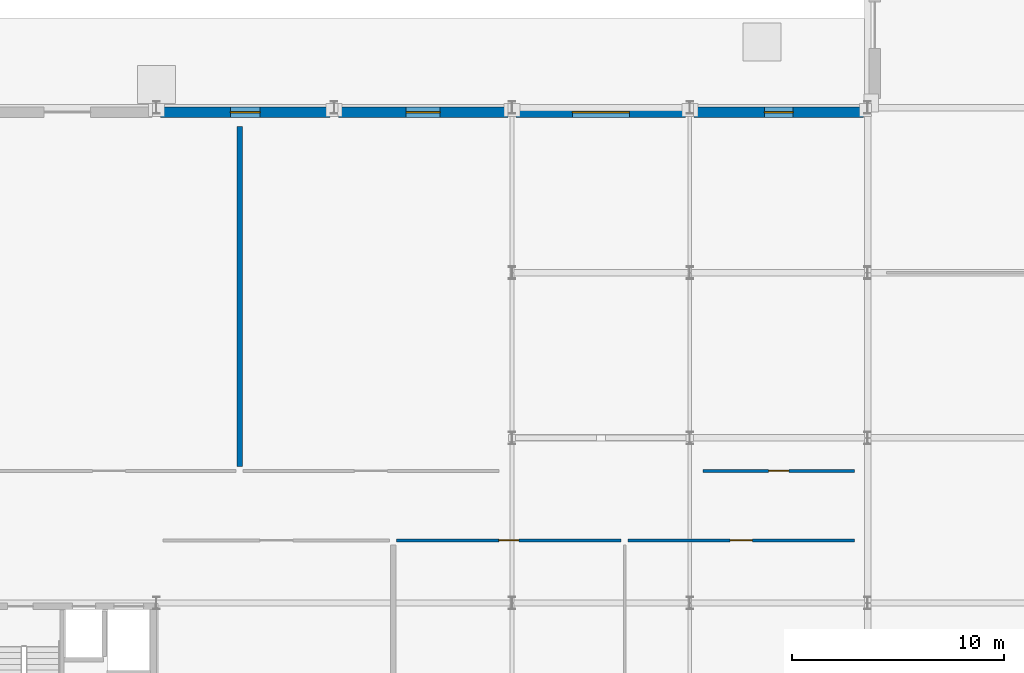
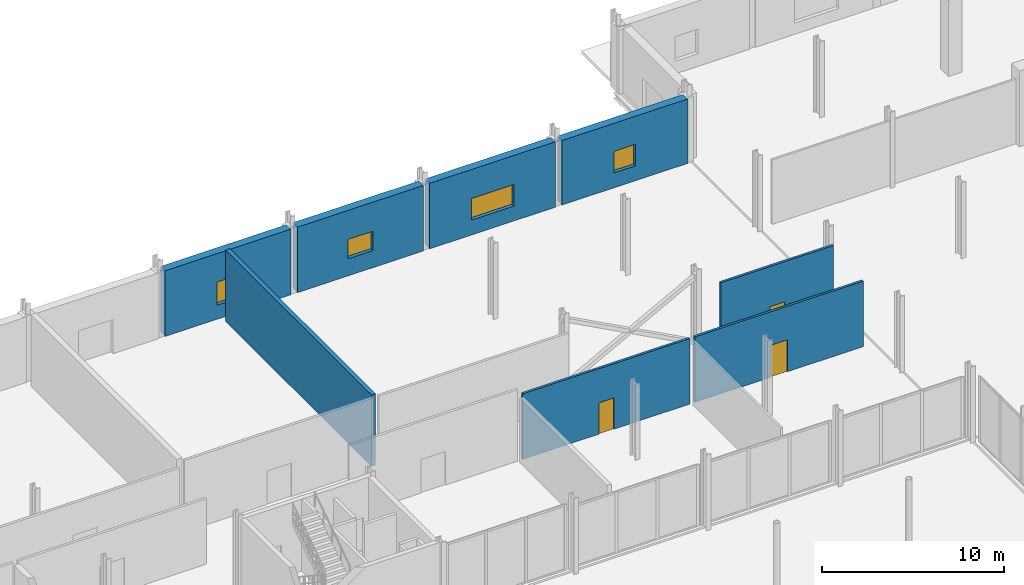
# One storey, part 53 of 80: 8 walls, 4 windows, 3 doors, 7 openings.
"""IFC4 building model written with IfcOpenShell, lengths in metres."""

from ifc_helpers import new_model, si_unit, direction, frame, frame_2d, origin, place, context, subcontext, project, spatial, rectangle, extrude, material, layer, layer_set, type_object, element, fill, save


model = new_model("IFC4")

# Units and contexts
model_context = context("Model", 3, precision=1e-05, world=origin(), true_north=direction((0.0, 1.0)))
body_context = subcontext(model_context, "Body", "Model", "MODEL_VIEW")
ifc_project = project(units=[si_unit("LENGTHUNIT", "METRE"), si_unit("AREAUNIT", "SQUARE_METRE"), si_unit("VOLUMEUNIT", "CUBIC_METRE"), si_unit("PLANEANGLEUNIT", "RADIAN"), si_unit("MASSUNIT", "GRAM", prefix="KILO")], contexts=[model_context])

# Site, building, storey
site_placement = place(None, origin())
site = spatial("IfcSite", under=ifc_project, at=site_placement, CompositionType="ELEMENT")
building_placement = place(site_placement, origin())
building = spatial("IfcBuilding", under=site, at=building_placement, Name="Nabrawat Pavilion Hospital", CompositionType="ELEMENT")
storey_placement = place(building_placement, origin())
storey = spatial("IfcBuildingStorey", under=building, at=storey_placement, Name="L00", CompositionType="ELEMENT", Elevation=0.0)

# Wall, opening, door
ifc_material_1 = material(Name="Gypsum Fireboard on Steel Stud", Category="steel")
ifc_layer_1 = layer(ifc_material_1, 0.14990234375, Name="Gypsum Fireboard on Steel Stud")
ifc_layer_set_1 = layer_set([ifc_layer_1], Name="Gypsum Fireboard on Steel Stud")
wall_type_1 = type_object("IfcWallType", Name="Clinical Corridor Smoke-Barrier Wall 150", PredefinedType="PARTITIONING", material=ifc_layer_set_1)
wall_1_placement = place(storey_placement, frame((103.739990234375, 96.56005859375, 0.0), z_axis=(0.0, 0.0, 1.0), x_axis=(1.0, 0.0, 0.0)))
wall_1 = element("IfcWall", 1, at=wall_1_placement, inside=storey, type_object=wall_type_1, Name="L00 Radiology Reporting Control Room L00-04 Front Partition", PredefinedType="PARTITIONING", context=body_context, shape_type="SweptSolid", body=[
    extrude(rectangle(XDim=10.6201171875, YDim=0.14990234375, at=frame_2d((5.31005859375, 0.0))), origin(), (0.0, 0.0, 1.0), 4.39990234375),
])
opening_1_placement = place(wall_1_placement, frame((4.8349609375, 0.0, 0.0)))
opening_1 = element("IfcOpeningElement", 2, at=opening_1_placement, cuts=wall_1, Name="Opening D-ADM", PredefinedType="OPENING", context=body_context, shape_type="SweptSolid", body=[
    extrude(rectangle(XDim=0.949951171875, YDim=2.10009765625, at=frame_2d((0.47509765625, 1.050048828125))), frame((0.0, 0.0849609375, 0.0), z_axis=(0.0, -1.0, 0.0), x_axis=(1.0, 0.0, 0.0)), (0.0, 0.0, 1.0), 0.169921875),
])
ifc_material_2 = material(Name="Stainless-Clad Acoustic Timber and Vision Glass", Category="wood")
door_type_1 = type_object("IfcDoorType", Name="Clinical Office Acoustic Door 950x2100", OperationType="NOTDEFINED", PredefinedType="DOOR", material=ifc_material_2)
door_1_placement = place(opening_1_placement, origin())
door_1 = element("IfcDoor", 3, at=door_1_placement, inside=storey, type_object=door_type_1, Name="Radiology Reporting Control Room L00-04 Door", OperationType="SINGLE_SWING_LEFT", OverallHeight=2.10009765625, OverallWidth=0.949951171875, PredefinedType="DOOR", context=body_context, shape_type="SweptSolid", body=[
    extrude(rectangle(XDim=0.949951171875, YDim=2.10009765625, at=frame_2d((0.47509765625, 1.050048828125))), frame((0.0, 0.02490234375, 0.0), z_axis=(0.0, -1.0, 0.0), x_axis=(1.0, 0.0, 0.0)), (0.0, 0.0, 1.0), 0.050048828125),
])
fill(opening_1, door_1)

wall_2_placement = place(storey_placement, frame((114.679931640625, 96.56005859375, 0.0), z_axis=(0.0, 0.0, 1.0), x_axis=(1.0, 0.0, 0.0)))
wall_2 = element("IfcWall", 4, at=wall_2_placement, inside=storey, type_object=wall_type_1, Name="L00 Imaging Patient Cannulation Bay L00-05 Front Partition", PredefinedType="PARTITIONING", context=body_context, shape_type="SweptSolid", body=[
    extrude(rectangle(XDim=10.699951171875, YDim=0.14990234375, at=frame_2d((5.35009765625, 0.0))), origin(), (0.0, 0.0, 1.0), 4.39990234375),
])
opening_2_placement = place(wall_2_placement, frame((4.824951171875, 0.0, 0.0)))
opening_2 = element("IfcOpeningElement", 5, at=opening_2_placement, cuts=wall_2, Name="Opening D-OPC-L", PredefinedType="OPENING", context=body_context, shape_type="SweptSolid", body=[
    extrude(rectangle(XDim=1.050048828125, YDim=2.14990234375, at=frame_2d((0.52490234375, 1.074951171875))), frame((0.0, 0.0849609375, 0.0), z_axis=(0.0, -1.0, 0.0), x_axis=(1.0, 0.0, 0.0)), (0.0, 0.0, 1.0), 0.169921875),
])
door_type_2 = type_object("IfcDoorType", Name="Outpatient Clinic Consultation Door L 1050x2150", OperationType="NOTDEFINED", PredefinedType="DOOR", material=ifc_material_2)
door_2_placement = place(opening_2_placement, origin())
door_2 = element("IfcDoor", 6, at=door_2_placement, inside=storey, type_object=door_type_2, Name="Imaging Patient Cannulation Bay L00-05 Door", OperationType="SINGLE_SWING_RIGHT", OverallHeight=2.14990234375, OverallWidth=1.050048828125, PredefinedType="DOOR", context=body_context, shape_type="SweptSolid", body=[
    extrude(rectangle(XDim=1.050048828125, YDim=2.14990234375, at=frame_2d((0.52490234375, 1.074951171875))), frame((0.0, 0.02490234375, 0.0), z_axis=(0.0, -1.0, 0.0), x_axis=(1.0, 0.0, 0.0)), (0.0, 0.0, 1.0), 0.050048828125),
])
fill(opening_2, door_2)

wall_3_placement = place(storey_placement, frame((118.219970703125, 99.840087890625, 0.0), z_axis=(0.0, 0.0, 1.0), x_axis=(1.0, 0.0, 0.0)))
wall_3 = element("IfcWall", 7, at=wall_3_placement, inside=storey, type_object=wall_type_1, Name="L00 Radiology Reporting Control Room L00-10 Front Partition", PredefinedType="PARTITIONING", context=body_context, shape_type="SweptSolid", body=[
    extrude(rectangle(XDim=7.159912109375, YDim=0.14990234375, at=frame_2d((3.580078125, 0.0))), origin(), (0.0, 0.0, 1.0), 4.800048828125),
])
opening_3_placement = place(wall_3_placement, frame((3.10498046875, 0.0, 0.0)))
opening_3 = element("IfcOpeningElement", 8, at=opening_3_placement, cuts=wall_3, Name="Opening D-ADM", PredefinedType="OPENING", context=body_context, shape_type="SweptSolid", body=[
    extrude(rectangle(XDim=0.949951171875, YDim=2.10009765625, at=frame_2d((0.47509765625, 1.050048828125))), frame((0.0, 0.0849609375, 0.0), z_axis=(0.0, -1.0, 0.0), x_axis=(1.0, 0.0, 0.0)), (0.0, 0.0, 1.0), 0.169921875),
])
door_3_placement = place(opening_3_placement, origin())
door_3 = element("IfcDoor", 9, at=door_3_placement, inside=storey, type_object=door_type_1, Name="Radiology Reporting Control Room L00-10 Door", OperationType="SINGLE_SWING_LEFT", OverallHeight=2.10009765625, OverallWidth=0.949951171875, PredefinedType="DOOR", context=body_context, shape_type="SweptSolid", body=[
    extrude(rectangle(XDim=0.949951171875, YDim=2.10009765625, at=frame_2d((0.47509765625, 1.050048828125))), frame((0.0, 0.02490234375, 0.0), z_axis=(0.0, -1.0, 0.0), x_axis=(1.0, 0.0, 0.0)), (0.0, 0.0, 1.0), 0.050048828125),
])
fill(opening_3, door_3)

# Wall
ifc_material_3 = material(Name="Barium Concrete Block", Category="concrete")
ifc_layer_2 = layer(ifc_material_3, 0.260009765625, Name="Barium Concrete Block")
ifc_layer_set_2 = layer_set([ifc_layer_2], Name="Barium Concrete Block")
wall_type_2 = type_object("IfcWallType", Name="Diagnostic X-Ray Barium-Plaster Wall 260", PredefinedType="PARTITIONING", material=ifc_layer_set_2)
wall_4_placement = place(storey_placement, frame((96.330078125, 100.06005859375, 0.0), z_axis=(0.0, 0.0, 1.0), x_axis=(0.0, 1.0, 0.0)))
element("IfcWall", 10, at=wall_4_placement, inside=storey, type_object=wall_type_2, Name="L00 Diagnostic Imaging Dual-Source CT Room L00-08 Dividing Partition", PredefinedType="PARTITIONING", context=body_context, shape_type="SweptSolid", body=[
    extrude(rectangle(XDim=16.050048828125, YDim=0.260009765625, at=frame_2d((8.02490234375, 0.0))), origin(), (0.0, 0.0, 1.0), 4.800048828125),
])

# Wall, opening, window
ifc_material_4 = material(Name="Precast concrete C40/50", Category="concrete")
ifc_layer_3 = layer(ifc_material_4, 0.5, Name="Precast concrete C40/50")
ifc_layer_set_3 = layer_set([ifc_layer_3], Name="Precast concrete C40/50")
wall_type_3 = type_object("IfcWallType", Name="Radiation Bunker Exterior Wall 500", PredefinedType="SOLIDWALL", material=ifc_layer_set_3)
wall_5_placement = place(storey_placement, frame((92.60009765625, 116.780029296875, 0.0), z_axis=(0.0, 0.0, 1.0), x_axis=(1.0, 0.0, 0.0)))
wall_5 = element("IfcWall", 11, at=wall_5_placement, inside=storey, type_object=wall_type_3, Name="L00 Radiation Bunker Exterior Wall 500 130", PredefinedType="SOLIDWALL", context=body_context, shape_type="SweptSolid", body=[
    extrude(rectangle(XDim=8.0, YDim=0.5, at=frame_2d((4.0, 0.0))), origin(), (0.0, 0.0, 1.0), 4.409912109375),
])
opening_4_placement = place(wall_5_placement, frame((3.300048828125, 0.0, 0.949951171875)))
opening_4 = element("IfcOpeningElement", 12, at=opening_4_placement, cuts=wall_5, Name="Opening WN-07", PredefinedType="OPENING", context=body_context, shape_type="SweptSolid", body=[
    extrude(rectangle(XDim=1.39990234375, YDim=1.550048828125, at=frame_2d((0.699951171875, 0.77490234375))), frame((0.0, 0.260009765625, 0.0), z_axis=(0.0, -1.0, 0.0), x_axis=(1.0, 0.0, 0.0)), (0.0, 0.0, 1.0), 0.52001953125),
])
ifc_material_5 = material(Name="Thermally Broken Aluminium and Solar Glass", Category="aluminium")
window_type_1 = type_object("IfcWindowType", Name="Emergency Staff Daylight Window 1400x1550", PartitioningType="SINGLE_PANEL", PredefinedType="WINDOW", material=ifc_material_5)
window_1_placement = place(opening_4_placement, origin())
window_1 = element("IfcWindow", 13, at=window_1_placement, inside=storey, type_object=window_type_1, Name="L00 Emergency Staff Daylight Window 1400x1550 039", OverallHeight=1.550048828125, OverallWidth=1.39990234375, PartitioningType="SINGLE_PANEL", PredefinedType="WINDOW", context=body_context, shape_type="SweptSolid", body=[
    extrude(rectangle(XDim=1.39990234375, YDim=1.550048828125, at=frame_2d((0.699951171875, 0.77490234375))), frame((0.0, 0.030029296875, 0.0), z_axis=(0.0, -1.0, 0.0), x_axis=(1.0, 0.0, 0.0)), (0.0, 0.0, 1.0), 0.06005859375),
])
fill(opening_4, window_1)

wall_6_placement = place(storey_placement, frame((101.0, 116.780029296875, 0.0), z_axis=(0.0, 0.0, 1.0), x_axis=(1.0, 0.0, 0.0)))
wall_6 = element("IfcWall", 14, at=wall_6_placement, inside=storey, type_object=wall_type_3, Name="L00 Radiation Bunker Exterior Wall 500 131", PredefinedType="SOLIDWALL", context=body_context, shape_type="SweptSolid", body=[
    extrude(rectangle(XDim=8.0, YDim=0.5, at=frame_2d((4.0, 0.0))), origin(), (0.0, 0.0, 1.0), 4.39990234375),
])
opening_5_placement = place(wall_6_placement, frame((3.199951171875, 0.0, 1.14990234375)))
opening_5 = element("IfcOpeningElement", 15, at=opening_5_placement, cuts=wall_6, Name="Opening WN-08", PredefinedType="OPENING", context=body_context, shape_type="SweptSolid", body=[
    extrude(rectangle(XDim=1.60009765625, YDim=1.300048828125, at=frame_2d((0.800048828125, 0.64990234375))), frame((0.0, 0.260009765625, 0.0), z_axis=(0.0, -1.0, 0.0), x_axis=(1.0, 0.0, 0.0)), (0.0, 0.0, 1.0), 0.52001953125),
])
window_type_2 = type_object("IfcWindowType", Name="Surgical Scrub Borrowed-Light Window 1600x1300", PartitioningType="SINGLE_PANEL", PredefinedType="WINDOW", material=ifc_material_5)
window_2_placement = place(opening_5_placement, origin())
window_2 = element("IfcWindow", 16, at=window_2_placement, inside=storey, type_object=window_type_2, Name="L00 Surgical Scrub Borrowed-Light Window 1600x1300 040", OverallHeight=1.300048828125, OverallWidth=1.60009765625, PartitioningType="SINGLE_PANEL", PredefinedType="WINDOW", context=body_context, shape_type="SweptSolid", body=[
    extrude(rectangle(XDim=1.60009765625, YDim=1.300048828125, at=frame_2d((0.800048828125, 0.64990234375))), frame((0.0, 0.030029296875, 0.0), z_axis=(0.0, -1.0, 0.0), x_axis=(1.0, 0.0, 0.0)), (0.0, 0.0, 1.0), 0.06005859375),
])
fill(opening_5, window_2)

wall_7_placement = place(storey_placement, frame((109.39990234375, 116.780029296875, 0.0), z_axis=(0.0, 0.0, 1.0), x_axis=(1.0, 0.0, 0.0)))
wall_7 = element("IfcWall", 17, at=wall_7_placement, inside=storey, type_object=wall_type_3, Name="L00 Radiation Bunker Exterior Wall 500 132", PredefinedType="SOLIDWALL", context=body_context, shape_type="SweptSolid", body=[
    extrude(rectangle(XDim=8.0, YDim=0.5, at=frame_2d((4.0, 0.0))), origin(), (0.0, 0.0, 1.0), 4.39990234375),
])
opening_6_placement = place(wall_7_placement, frame((2.64990234375, 0.0, 1.0)))
opening_6 = element("IfcOpeningElement", 18, at=opening_6_placement, cuts=wall_7, Name="Opening WN-09", PredefinedType="OPENING", context=body_context, shape_type="SweptSolid", body=[
    extrude(rectangle(XDim=2.699951171875, YDim=1.449951171875, at=frame_2d((1.35009765625, 0.72509765625))), frame((0.0, 0.260009765625, 0.0), z_axis=(0.0, -1.0, 0.0), x_axis=(1.0, 0.0, 0.0)), (0.0, 0.0, 1.0), 0.52001953125),
])
window_type_3 = type_object("IfcWindowType", Name="Surgical PACU Ribbon Window 2700x1450", PartitioningType="SINGLE_PANEL", PredefinedType="WINDOW", material=ifc_material_5)
window_3_placement = place(opening_6_placement, origin())
window_3 = element("IfcWindow", 19, at=window_3_placement, inside=storey, type_object=window_type_3, Name="L00 Surgical PACU Ribbon Window 2700x1450 041", OverallHeight=1.449951171875, OverallWidth=2.699951171875, PartitioningType="SINGLE_PANEL", PredefinedType="WINDOW", context=body_context, shape_type="SweptSolid", body=[
    extrude(rectangle(XDim=2.699951171875, YDim=1.449951171875, at=frame_2d((1.35009765625, 0.72509765625))), frame((0.0, 0.030029296875, 0.0), z_axis=(0.0, -1.0, 0.0), x_axis=(1.0, 0.0, 0.0)), (0.0, 0.0, 1.0), 0.06005859375),
])
fill(opening_6, window_3)

wall_8_placement = place(storey_placement, frame((117.800048828125, 116.780029296875, 0.0), z_axis=(0.0, 0.0, 1.0), x_axis=(1.0, 0.0, 0.0)))
wall_8 = element("IfcWall", 20, at=wall_8_placement, inside=storey, type_object=wall_type_3, Name="L00 Radiation Bunker Exterior Wall 500 133", PredefinedType="SOLIDWALL", context=body_context, shape_type="SweptSolid", body=[
    extrude(rectangle(XDim=8.0, YDim=0.5, at=frame_2d((4.0, 0.0))), origin(), (0.0, 0.0, 1.0), 4.330078125),
])
opening_7_placement = place(wall_8_placement, frame((3.324951171875, 0.0, 1.0)))
opening_7 = element("IfcOpeningElement", 21, at=opening_7_placement, cuts=wall_8, Name="Opening WN-10", PredefinedType="OPENING", context=body_context, shape_type="SweptSolid", body=[
    extrude(rectangle(XDim=1.35009765625, YDim=1.449951171875, at=frame_2d((0.675048828125, 0.72509765625))), frame((0.0, 0.260009765625, 0.0), z_axis=(0.0, -1.0, 0.0), x_axis=(1.0, 0.0, 0.0)), (0.0, 0.0, 1.0), 0.52001953125),
])
window_type_4 = type_object("IfcWindowType", Name="Diagnostic Reporting Room Window 1350x1450", PartitioningType="SINGLE_PANEL", PredefinedType="WINDOW", material=ifc_material_5)
window_4_placement = place(opening_7_placement, origin())
window_4 = element("IfcWindow", 22, at=window_4_placement, inside=storey, type_object=window_type_4, Name="L00 Diagnostic Reporting Room Window 1350x1450 042", OverallHeight=1.449951171875, OverallWidth=1.35009765625, PartitioningType="SINGLE_PANEL", PredefinedType="WINDOW", context=body_context, shape_type="SweptSolid", body=[
    extrude(rectangle(XDim=1.35009765625, YDim=1.449951171875, at=frame_2d((0.675048828125, 0.72509765625))), frame((0.0, 0.030029296875, 0.0), z_axis=(0.0, -1.0, 0.0), x_axis=(1.0, 0.0, 0.0)), (0.0, 0.0, 1.0), 0.06005859375),
])
fill(opening_7, window_4)

save(model, "model.ifc")
